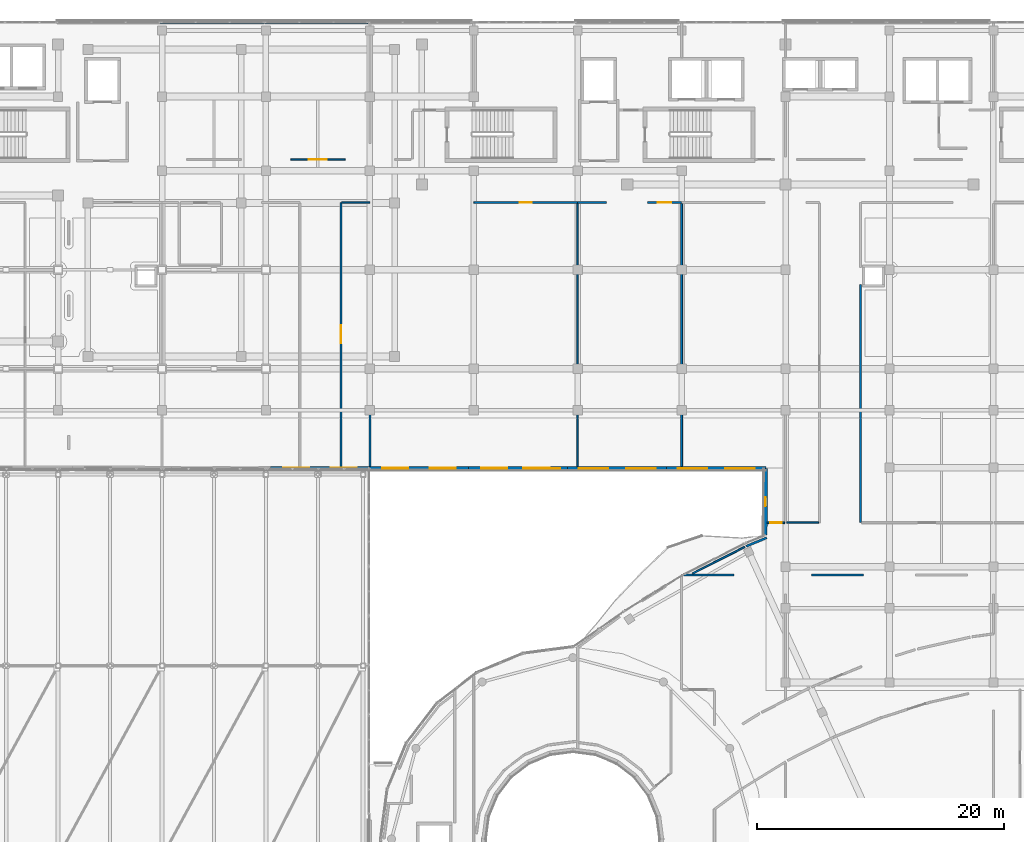
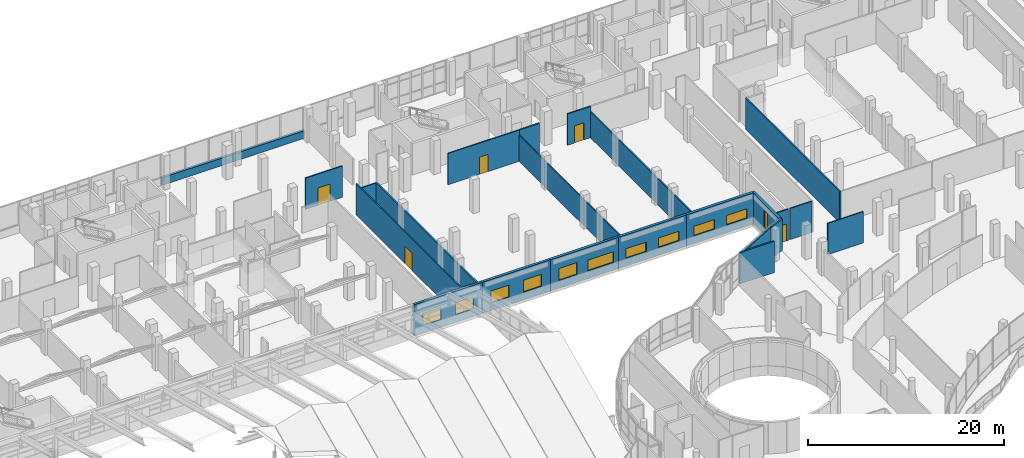
# One storey, part 167 of 184: 24 walls, 11 windows, 5 doors, 16 openings.
"""IFC4 building model written with IfcOpenShell, lengths in metres."""

from ifc_helpers import new_model, si_unit, direction, frame, frame_2d, origin, place, context, subcontext, project, spatial, rectangle, extrude, material, layer, layer_set, type_object, element, fill, save


model = new_model("IFC4")

# Units and contexts
model_context = context("Model", 3, precision=1e-05, world=origin(), true_north=direction((0.0, 1.0)))
body_context = subcontext(model_context, "Body", "Model", "MODEL_VIEW")
ifc_project = project(units=[si_unit("LENGTHUNIT", "METRE"), si_unit("AREAUNIT", "SQUARE_METRE"), si_unit("VOLUMEUNIT", "CUBIC_METRE"), si_unit("PLANEANGLEUNIT", "RADIAN"), si_unit("MASSUNIT", "GRAM", prefix="KILO")], contexts=[model_context])

# Site, building, storey
site_placement = place(None, origin())
site = spatial("IfcSite", under=ifc_project, at=site_placement, CompositionType="ELEMENT")
building_placement = place(site_placement, origin())
building = spatial("IfcBuilding", under=site, at=building_placement, Name="Selatvlak General Hospital", CompositionType="ELEMENT")
storey_placement = place(building_placement, frame((0.0, 0.0, 15.0)))
storey = spatial("IfcBuildingStorey", under=building, at=storey_placement, Name="L03", CompositionType="ELEMENT", Elevation=15.0)

# Wall, opening, window
ifc_material_1 = material(Name="Precast concrete C40/50 - white fair-faced", Category="concrete")
ifc_layer_1 = layer(ifc_material_1, 0.300048828125, Name="Precast concrete C40/50 - white fair-faced", Category="concrete")
ifc_layer_set_1 = layer_set([ifc_layer_1], Name="Precast concrete C40/50 - white fair-faced")
wall_type_1 = type_object("IfcWallType", Name="WALL-EW-01", PredefinedType="SOLIDWALL", material=ifc_layer_set_1)
wall_1_placement = place(storey_placement, frame((113.56298828125, 78.552001953125, 0.0), z_axis=(0.0, 0.0, 1.0), x_axis=(0.006887325881, 0.99997628209, 0.0)))
wall_1 = element("IfcWall", 1, at=wall_1_placement, inside=storey, type_object=wall_type_1, Name="L03 exterior wall 0388", PredefinedType="SOLIDWALL", context=body_context, shape_type="SweptSolid", body=[
    extrude(rectangle(XDim=5.38818359375, YDim=0.300048828125, at=frame_2d((2.694091796875, 0.0))), origin(), (0.0, 0.0, 1.0), 3.89501953125),
])
opening_1_placement = place(wall_1_placement, frame((2.319091796875, 0.0, 0.9599609375)))
opening_1 = element("IfcOpeningElement", 2, at=opening_1_placement, cuts=wall_1, Name="Opening WN-25", PredefinedType="OPENING", context=body_context, shape_type="SweptSolid", body=[
    extrude(rectangle(XDim=0.75, YDim=2.10009765625, at=frame_2d((0.375, 1.050048828125))), frame((0.0, 0.159912109375, 0.0), z_axis=(0.0, -1.0, 0.0), x_axis=(1.0, 0.0, 0.0)), (0.0, 0.0, 1.0), 0.320068359375),
])
ifc_material_2 = material(Name="Thermally broken aluminium Low-E window", Category="aluminium")
window_type_1 = type_object("IfcWindowType", Name="WIN-WN-25", PartitioningType="SINGLE_PANEL", PredefinedType="WINDOW", material=ifc_material_2)
window_1_placement = place(opening_1_placement, origin())
window_1 = element("IfcWindow", 3, at=window_1_placement, inside=storey, type_object=window_type_1, Name="L03 clinical facade window 0054", OverallHeight=2.10009765625, OverallWidth=0.75, PartitioningType="SINGLE_PANEL", PredefinedType="WINDOW", context=body_context, shape_type="SweptSolid", body=[
    extrude(rectangle(XDim=0.75, YDim=2.10009765625, at=frame_2d((0.375, 1.050048828125))), frame((0.0, 0.030029296875, 0.0), z_axis=(0.0, -1.0, 0.0), x_axis=(1.0, 0.0, 0.0)), (0.0, 0.0, 1.0), 0.06005859375),
])
fill(opening_1, window_1)

# Wall, openings, windows
wall_2_placement = place(storey_placement, frame((113.60009765625, 83.93994140625, 0.0), z_axis=(0.0, 0.0, 1.0), x_axis=(-0.999999795056, 0.000640224252, 0.0)))
wall_2 = element("IfcWall", 4, at=wall_2_placement, inside=storey, type_object=wall_type_1, Name="L03 exterior wall 0389", PredefinedType="SOLIDWALL", context=body_context, shape_type="SweptSolid", body=[
    extrude(rectangle(XDim=8.008056640625, YDim=0.300048828125, at=frame_2d((4.00390625, 0.0))), origin(), (0.0, 0.0, 1.0), 3.89501953125),
])
opening_2_placement = place(wall_2_placement, frame((0.882080078125, 0.0, 0.9599609375)))
opening_2 = element("IfcOpeningElement", 5, at=opening_2_placement, cuts=wall_2, Name="Opening WN-29", PredefinedType="OPENING", context=body_context, shape_type="SweptSolid", body=[
    extrude(rectangle(XDim=2.39990234375, YDim=1.199951171875, at=frame_2d((1.199951171875, 0.60009765625))), frame((0.0, 0.159912109375, 0.0), z_axis=(0.0, -1.0, 0.0), x_axis=(1.0, 0.0, 0.0)), (0.0, 0.0, 1.0), 0.320068359375),
])
opening_3_placement = place(wall_2_placement, frame((4.72607421875, 0.0, 0.9599609375)))
opening_3 = element("IfcOpeningElement", 6, at=opening_3_placement, cuts=wall_2, Name="Opening WN-29", PredefinedType="OPENING", context=body_context, shape_type="SweptSolid", body=[
    extrude(rectangle(XDim=2.39990234375, YDim=1.199951171875, at=frame_2d((1.199951171875, 0.60009765625))), frame((0.0, 0.159912109375, 0.0), z_axis=(0.0, -1.0, 0.0), x_axis=(1.0, 0.0, 0.0)), (0.0, 0.0, 1.0), 0.320068359375),
])
window_type_2 = type_object("IfcWindowType", Name="WIN-WN-29", PartitioningType="SINGLE_PANEL", PredefinedType="WINDOW", material=ifc_material_2)
window_2_placement = place(opening_2_placement, origin())
window_2 = element("IfcWindow", 7, at=window_2_placement, inside=storey, type_object=window_type_2, Name="L03 Bauhaus ribbon window 0055", OverallHeight=1.199951171875, OverallWidth=2.39990234375, PartitioningType="SINGLE_PANEL", PredefinedType="WINDOW", context=body_context, shape_type="SweptSolid", body=[
    extrude(rectangle(XDim=2.39990234375, YDim=1.199951171875, at=frame_2d((1.199951171875, 0.60009765625))), frame((0.0, 0.030029296875, 0.0), z_axis=(0.0, -1.0, 0.0), x_axis=(1.0, 0.0, 0.0)), (0.0, 0.0, 1.0), 0.06005859375),
])
fill(opening_2, window_2)
window_3_placement = place(opening_3_placement, origin())
window_3 = element("IfcWindow", 8, at=window_3_placement, inside=storey, type_object=window_type_2, Name="L03 Bauhaus ribbon window 0056", OverallHeight=1.199951171875, OverallWidth=2.39990234375, PartitioningType="SINGLE_PANEL", PredefinedType="WINDOW", context=body_context, shape_type="SweptSolid", body=[
    extrude(rectangle(XDim=2.39990234375, YDim=1.199951171875, at=frame_2d((1.199951171875, 0.60009765625))), frame((0.0, 0.030029296875, 0.0), z_axis=(0.0, -1.0, 0.0), x_axis=(1.0, 0.0, 0.0)), (0.0, 0.0, 1.0), 0.06005859375),
])
fill(opening_3, window_3)

wall_3_placement = place(storey_placement, frame((105.592041015625, 83.945068359375, 0.0), z_axis=(0.0, 0.0, 1.0), x_axis=(-0.999999732319, 0.000731684814, 0.0)))
wall_3 = element("IfcWall", 9, at=wall_3_placement, inside=storey, type_object=wall_type_1, Name="L03 exterior wall 0390", PredefinedType="SOLIDWALL", context=body_context, shape_type="SweptSolid", body=[
    extrude(rectangle(XDim=8.008056640625, YDim=0.300048828125, at=frame_2d((4.00390625, 0.0))), origin(), (0.0, 0.0, 1.0), 3.89501953125),
])
opening_4_placement = place(wall_3_placement, frame((0.882080078125, 0.0, 0.9599609375)))
opening_4 = element("IfcOpeningElement", 10, at=opening_4_placement, cuts=wall_3, Name="Opening WN-29", PredefinedType="OPENING", context=body_context, shape_type="SweptSolid", body=[
    extrude(rectangle(XDim=2.39990234375, YDim=1.199951171875, at=frame_2d((1.199951171875, 0.60009765625))), frame((0.0, 0.159912109375, 0.0), z_axis=(0.0, -1.0, 0.0), x_axis=(1.0, 0.0, 0.0)), (0.0, 0.0, 1.0), 0.320068359375),
])
opening_5_placement = place(wall_3_placement, frame((4.72607421875, 0.0, 0.9599609375)))
opening_5 = element("IfcOpeningElement", 11, at=opening_5_placement, cuts=wall_3, Name="Opening WN-29", PredefinedType="OPENING", context=body_context, shape_type="SweptSolid", body=[
    extrude(rectangle(XDim=2.39990234375, YDim=1.199951171875, at=frame_2d((1.199951171875, 0.60009765625))), frame((0.0, 0.159912109375, 0.0), z_axis=(0.0, -1.0, 0.0), x_axis=(1.0, 0.0, 0.0)), (0.0, 0.0, 1.0), 0.320068359375),
])
window_4_placement = place(opening_4_placement, origin())
window_4 = element("IfcWindow", 12, at=window_4_placement, inside=storey, type_object=window_type_2, Name="L03 Bauhaus ribbon window 0057", OverallHeight=1.199951171875, OverallWidth=2.39990234375, PartitioningType="SINGLE_PANEL", PredefinedType="WINDOW", context=body_context, shape_type="SweptSolid", body=[
    extrude(rectangle(XDim=2.39990234375, YDim=1.199951171875, at=frame_2d((1.199951171875, 0.60009765625))), frame((0.0, 0.030029296875, 0.0), z_axis=(0.0, -1.0, 0.0), x_axis=(1.0, 0.0, 0.0)), (0.0, 0.0, 1.0), 0.06005859375),
])
fill(opening_4, window_4)
window_5_placement = place(opening_5_placement, origin())
window_5 = element("IfcWindow", 13, at=window_5_placement, inside=storey, type_object=window_type_2, Name="L03 Bauhaus ribbon window 0058", OverallHeight=1.199951171875, OverallWidth=2.39990234375, PartitioningType="SINGLE_PANEL", PredefinedType="WINDOW", context=body_context, shape_type="SweptSolid", body=[
    extrude(rectangle(XDim=2.39990234375, YDim=1.199951171875, at=frame_2d((1.199951171875, 0.60009765625))), frame((0.0, 0.030029296875, 0.0), z_axis=(0.0, -1.0, 0.0), x_axis=(1.0, 0.0, 0.0)), (0.0, 0.0, 1.0), 0.06005859375),
])
fill(opening_5, window_5)

wall_4_placement = place(storey_placement, frame((97.583984375, 83.950927734375, 0.0), z_axis=(0.0, 0.0, 1.0), x_axis=(-0.999999795056, 0.000640224252, 0.0)))
wall_4 = element("IfcWall", 14, at=wall_4_placement, inside=storey, type_object=wall_type_1, Name="L03 exterior wall 0391", PredefinedType="SOLIDWALL", context=body_context, shape_type="SweptSolid", body=[
    extrude(rectangle(XDim=8.008056640625, YDim=0.300048828125, at=frame_2d((4.00390625, 0.0))), origin(), (0.0, 0.0, 1.0), 3.89501953125),
])
opening_6_placement = place(wall_4_placement, frame((0.58203125, 0.0, 0.9599609375)))
opening_6 = element("IfcOpeningElement", 15, at=opening_6_placement, cuts=wall_4, Name="Opening WN-30", PredefinedType="OPENING", context=body_context, shape_type="SweptSolid", body=[
    extrude(rectangle(XDim=3.0, YDim=1.35009765625, at=frame_2d((1.5, 0.675048828125))), frame((0.0, 0.159912109375, 0.0), z_axis=(0.0, -1.0, 0.0), x_axis=(1.0, 0.0, 0.0)), (0.0, 0.0, 1.0), 0.320068359375),
])
opening_7_placement = place(wall_4_placement, frame((4.8759765625, 0.0, 0.9599609375)))
opening_7 = element("IfcOpeningElement", 16, at=opening_7_placement, cuts=wall_4, Name="Opening WN-06", PredefinedType="OPENING", context=body_context, shape_type="SweptSolid", body=[
    extrude(rectangle(XDim=2.10009765625, YDim=1.5, at=frame_2d((1.050048828125, 0.75))), frame((0.0, 0.159912109375, 0.0), z_axis=(0.0, -1.0, 0.0), x_axis=(1.0, 0.0, 0.0)), (0.0, 0.0, 1.0), 0.320068359375),
])
window_type_3 = type_object("IfcWindowType", Name="WIN-WN-06", PartitioningType="SINGLE_PANEL", PredefinedType="WINDOW", material=ifc_material_2)
window_6_placement = place(opening_7_placement, origin())
window_6 = element("IfcWindow", 17, at=window_6_placement, inside=storey, type_object=window_type_3, Name="L03 Bauhaus ribbon window 0060", OverallHeight=1.5, OverallWidth=2.10009765625, PartitioningType="SINGLE_PANEL", PredefinedType="WINDOW", context=body_context, shape_type="SweptSolid", body=[
    extrude(rectangle(XDim=2.10009765625, YDim=1.5, at=frame_2d((1.050048828125, 0.75))), frame((0.0, 0.030029296875, 0.0), z_axis=(0.0, -1.0, 0.0), x_axis=(1.0, 0.0, 0.0)), (0.0, 0.0, 1.0), 0.06005859375),
])
fill(opening_7, window_6)
window_type_4 = type_object("IfcWindowType", Name="WIN-WN-30", PartitioningType="SINGLE_PANEL", PredefinedType="WINDOW", material=ifc_material_2)
window_7_placement = place(opening_6_placement, origin())
window_7 = element("IfcWindow", 18, at=window_7_placement, inside=storey, type_object=window_type_4, Name="L03 Bauhaus ribbon window 0059", OverallHeight=1.35009765625, OverallWidth=3.0, PartitioningType="SINGLE_PANEL", PredefinedType="WINDOW", context=body_context, shape_type="SweptSolid", body=[
    extrude(rectangle(XDim=3.0, YDim=1.35009765625, at=frame_2d((1.5, 0.675048828125))), frame((0.0, 0.030029296875, 0.0), z_axis=(0.0, -1.0, 0.0), x_axis=(1.0, 0.0, 0.0)), (0.0, 0.0, 1.0), 0.06005859375),
])
fill(opening_6, window_7)

wall_5_placement = place(storey_placement, frame((89.575927734375, 83.9560546875, 0.0), z_axis=(0.0, 0.0, 1.0), x_axis=(-0.999999814099, 0.000609755984, 0.0)))
wall_5 = element("IfcWall", 19, at=wall_5_placement, inside=storey, type_object=wall_type_1, Name="L03 exterior wall 0392", PredefinedType="SOLIDWALL", context=body_context, shape_type="SweptSolid", body=[
    extrude(rectangle(XDim=8.0078125, YDim=0.300048828125, at=frame_2d((4.00390625, 0.0))), origin(), (0.0, 0.0, 1.0), 3.89501953125),
])
opening_8_placement = place(wall_5_placement, frame((1.031982421875, 0.0, 0.9599609375)))
opening_8 = element("IfcOpeningElement", 20, at=opening_8_placement, cuts=wall_5, Name="Opening WN-06", PredefinedType="OPENING", context=body_context, shape_type="SweptSolid", body=[
    extrude(rectangle(XDim=2.10009765625, YDim=1.5, at=frame_2d((1.050048828125, 0.75))), frame((0.0, 0.159912109375, 0.0), z_axis=(0.0, -1.0, 0.0), x_axis=(1.0, 0.0, 0.0)), (0.0, 0.0, 1.0), 0.320068359375),
])
opening_9_placement = place(wall_5_placement, frame((4.8759765625, 0.0, 0.9599609375)))
opening_9 = element("IfcOpeningElement", 21, at=opening_9_placement, cuts=wall_5, Name="Opening WN-06", PredefinedType="OPENING", context=body_context, shape_type="SweptSolid", body=[
    extrude(rectangle(XDim=2.10009765625, YDim=1.5, at=frame_2d((1.050048828125, 0.75))), frame((0.0, 0.159912109375, 0.0), z_axis=(0.0, -1.0, 0.0), x_axis=(1.0, 0.0, 0.0)), (0.0, 0.0, 1.0), 0.320068359375),
])
window_8_placement = place(opening_8_placement, origin())
window_8 = element("IfcWindow", 22, at=window_8_placement, inside=storey, type_object=window_type_3, Name="L03 Bauhaus ribbon window 0061", OverallHeight=1.5, OverallWidth=2.10009765625, PartitioningType="SINGLE_PANEL", PredefinedType="WINDOW", context=body_context, shape_type="SweptSolid", body=[
    extrude(rectangle(XDim=2.10009765625, YDim=1.5, at=frame_2d((1.050048828125, 0.75))), frame((0.0, 0.030029296875, 0.0), z_axis=(0.0, -1.0, 0.0), x_axis=(1.0, 0.0, 0.0)), (0.0, 0.0, 1.0), 0.06005859375),
])
fill(opening_8, window_8)
window_9_placement = place(opening_9_placement, origin())
window_9 = element("IfcWindow", 23, at=window_9_placement, inside=storey, type_object=window_type_3, Name="L03 Bauhaus ribbon window 0062", OverallHeight=1.5, OverallWidth=2.10009765625, PartitioningType="SINGLE_PANEL", PredefinedType="WINDOW", context=body_context, shape_type="SweptSolid", body=[
    extrude(rectangle(XDim=2.10009765625, YDim=1.5, at=frame_2d((1.050048828125, 0.75))), frame((0.0, 0.030029296875, 0.0), z_axis=(0.0, -1.0, 0.0), x_axis=(1.0, 0.0, 0.0)), (0.0, 0.0, 1.0), 0.06005859375),
])
fill(opening_9, window_9)

wall_6_placement = place(storey_placement, frame((81.568115234375, 83.9609375, 0.0), z_axis=(0.0, 0.0, 1.0), x_axis=(-0.999999795056, 0.000640224252, 0.0)))
wall_6 = element("IfcWall", 24, at=wall_6_placement, inside=storey, type_object=wall_type_1, Name="L03 exterior wall 0393", PredefinedType="SOLIDWALL", context=body_context, shape_type="SweptSolid", body=[
    extrude(rectangle(XDim=8.008056640625, YDim=0.300048828125, at=frame_2d((4.00390625, 0.0))), origin(), (0.0, 0.0, 1.0), 3.89501953125),
])
opening_10_placement = place(wall_6_placement, frame((1.031982421875, 0.0, 0.9599609375)))
opening_10 = element("IfcOpeningElement", 25, at=opening_10_placement, cuts=wall_6, Name="Opening WN-06", PredefinedType="OPENING", context=body_context, shape_type="SweptSolid", body=[
    extrude(rectangle(XDim=2.10009765625, YDim=1.5, at=frame_2d((1.050048828125, 0.75))), frame((0.0, 0.159912109375, 0.0), z_axis=(0.0, -1.0, 0.0), x_axis=(1.0, 0.0, 0.0)), (0.0, 0.0, 1.0), 0.320068359375),
])
opening_11_placement = place(wall_6_placement, frame((4.8759765625, 0.0, 0.9599609375)))
opening_11 = element("IfcOpeningElement", 26, at=opening_11_placement, cuts=wall_6, Name="Opening WN-06", PredefinedType="OPENING", context=body_context, shape_type="SweptSolid", body=[
    extrude(rectangle(XDim=2.10009765625, YDim=1.5, at=frame_2d((1.050048828125, 0.75))), frame((0.0, 0.159912109375, 0.0), z_axis=(0.0, -1.0, 0.0), x_axis=(1.0, 0.0, 0.0)), (0.0, 0.0, 1.0), 0.320068359375),
])
window_10_placement = place(opening_10_placement, origin())
window_10 = element("IfcWindow", 27, at=window_10_placement, inside=storey, type_object=window_type_3, Name="L03 Bauhaus ribbon window 0063", OverallHeight=1.5, OverallWidth=2.10009765625, PartitioningType="SINGLE_PANEL", PredefinedType="WINDOW", context=body_context, shape_type="SweptSolid", body=[
    extrude(rectangle(XDim=2.10009765625, YDim=1.5, at=frame_2d((1.050048828125, 0.75))), frame((0.0, 0.030029296875, 0.0), z_axis=(0.0, -1.0, 0.0), x_axis=(1.0, 0.0, 0.0)), (0.0, 0.0, 1.0), 0.06005859375),
])
fill(opening_10, window_10)
window_11_placement = place(opening_11_placement, origin())
window_11 = element("IfcWindow", 28, at=window_11_placement, inside=storey, type_object=window_type_3, Name="L03 Bauhaus ribbon window 0064", OverallHeight=1.5, OverallWidth=2.10009765625, PartitioningType="SINGLE_PANEL", PredefinedType="WINDOW", context=body_context, shape_type="SweptSolid", body=[
    extrude(rectangle(XDim=2.10009765625, YDim=1.5, at=frame_2d((1.050048828125, 0.75))), frame((0.0, 0.030029296875, 0.0), z_axis=(0.0, -1.0, 0.0), x_axis=(1.0, 0.0, 0.0)), (0.0, 0.0, 1.0), 0.06005859375),
])
fill(opening_11, window_11)

# Walls
ifc_material_3 = material(Name="Precast concrete C40/50 - white Bauhaus spandrel", Category="concrete")
ifc_layer_2 = layer(ifc_material_3, 0.280029296875, Name="Precast concrete C40/50 - white Bauhaus spandrel", Category="concrete")
ifc_layer_set_2 = layer_set([ifc_layer_2], Name="Precast concrete C40/50 - white Bauhaus spandrel")
wall_type_2 = type_object("IfcWallType", Name="WALL-EW-02", PredefinedType="SOLIDWALL", material=ifc_layer_set_2)
wall_7_placement = place(storey_placement, frame((64.681884765625, 119.9990234375, 0.0), z_axis=(0.0, 0.0, 1.0), x_axis=(1.0, 0.0, 0.0)))
element("IfcWall", 29, at=wall_7_placement, inside=storey, type_object=wall_type_2, Name="L03 Bauhaus spandrel sill wall 0367", PredefinedType="SOLIDWALL", context=body_context, shape_type="SweptSolid", body=[
    extrude(rectangle(XDim=8.376220703125, YDim=0.280029296875, at=frame_2d((4.18798828125, 0.0))), origin(), (0.0, 0.0, 1.0), 0.93994140625),
])
wall_8_placement = place(storey_placement, frame((73.06201171875, 119.9990234375, 0.0), z_axis=(0.0, 0.0, 1.0), x_axis=(1.0, 0.0, 0.0)))
element("IfcWall", 30, at=wall_8_placement, inside=storey, type_object=wall_type_2, Name="L03 Bauhaus spandrel sill wall 0368", PredefinedType="SOLIDWALL", context=body_context, shape_type="SweptSolid", body=[
    extrude(rectangle(XDim=8.3759765625, YDim=0.280029296875, at=frame_2d((4.18798828125, 0.0))), origin(), (0.0, 0.0, 1.0), 0.93994140625),
])
ifc_material_4 = material(Name="Acoustic gypsum stud partition")
ifc_layer_3 = layer(ifc_material_4, 0.179931640625, Name="Acoustic gypsum stud partition")
ifc_layer_set_3 = layer_set([ifc_layer_3], Name="Acoustic gypsum stud partition")
wall_type_3 = type_object("IfcWallType", Name="WALL-PT-01", PredefinedType="PARTITIONING", material=ifc_layer_set_3)
wall_9_placement = place(storey_placement, frame((106.951904296875, 75.340087890625, 0.0), z_axis=(0.0, 0.0, 1.0), x_axis=(1.0, 0.0, 0.0)))
element("IfcWall", 31, at=wall_9_placement, inside=storey, type_object=wall_type_3, Name="L03 clinical partition PT-L03-1485", PredefinedType="PARTITIONING", context=body_context, shape_type="SweptSolid", body=[
    extrude(rectangle(XDim=4.071044921875, YDim=0.179931640625, at=frame_2d((2.03564453125, 0.0))), origin(), (0.0, 0.0, 1.0), 3.89501953125),
])
wall_10_placement = place(storey_placement, frame((81.60009765625, 105.384033203125, 0.0), z_axis=(0.0, 0.0, 1.0), x_axis=(0.0, -1.0, 0.0)))
element("IfcWall", 32, at=wall_10_placement, inside=storey, type_object=wall_type_3, Name="L03 clinical partition PT-L03-1570", PredefinedType="PARTITIONING", context=body_context, shape_type="SweptSolid", body=[
    extrude(rectangle(XDim=21.276123046875, YDim=0.179931640625, at=frame_2d((10.63818359375, 0.0))), origin(), (0.0, 0.0, 1.0), 3.2451171875),
])
wall_11_placement = place(storey_placement, frame((98.39990234375, 105.43994140625, 0.0), z_axis=(0.0, 0.0, 1.0), x_axis=(1.0, 0.0, 0.0)))
element("IfcWall", 33, at=wall_11_placement, inside=storey, type_object=wall_type_3, Name="L03 clinical partition PT-L03-1575", PredefinedType="PARTITIONING", context=body_context, shape_type="SweptSolid", body=[
    extrude(rectangle(XDim=2.343994140625, YDim=0.179931640625, at=frame_2d((1.171875, 0.0))), origin(), (0.0, 0.0, 1.0), 3.89501953125),
])
wall_12_placement = place(storey_placement, frame((113.675048828125, 78.339111328125, 0.0), z_axis=(0.0, 0.0, 1.0), x_axis=(-0.925581582464, -0.37854819271, 0.0)))
element("IfcWall", 34, at=wall_12_placement, inside=storey, type_object=wall_type_3, Name="L03 clinical partition PT-L03-1581", PredefinedType="PARTITIONING", context=body_context, shape_type="SweptSolid", body=[
    extrude(rectangle(XDim=1.796875, YDim=0.179931640625, at=frame_2d((0.8984375, 0.0))), origin(), (0.0, 0.0, 1.0), 3.89501953125),
])

# Wall, opening, door
ifc_layer_4 = layer(ifc_material_4, 0.1650390625, Name="Acoustic gypsum stud partition")
ifc_layer_set_4 = layer_set([ifc_layer_4], Name="Acoustic gypsum stud partition")
wall_type_4 = type_object("IfcWallType", Name="WALL-PT-02", PredefinedType="PARTITIONING", material=ifc_layer_set_4)
wall_13_placement = place(storey_placement, frame((104.055908203125, 105.43994140625, 0.0), z_axis=(0.0, 0.0, 1.0), x_axis=(1.0, 0.0, 0.0)))
wall_13 = element("IfcWall", 35, at=wall_13_placement, inside=storey, type_object=wall_type_4, Name="L03 clinical partition PT-L03-1576", PredefinedType="PARTITIONING", context=body_context, shape_type="SweptSolid", body=[
    extrude(rectangle(XDim=2.744140625, YDim=0.1650390625, at=frame_2d((1.3720703125, 0.0))), origin(), (0.0, 0.0, 1.0), 3.89501953125),
])
opening_12_placement = place(wall_13_placement, frame((0.822021484375, 0.0, 0.0)))
opening_12 = element("IfcOpeningElement", 36, at=opening_12_placement, cuts=wall_13, Name="Opening D-22", PredefinedType="OPENING", context=body_context, shape_type="SweptSolid", body=[
    extrude(rectangle(XDim=1.10009765625, YDim=2.14990234375, at=frame_2d((0.550048828125, 1.074951171875))), frame((0.0, 0.092529296875, 0.0), z_axis=(0.0, -1.0, 0.0), x_axis=(1.0, 0.0, 0.0)), (0.0, 0.0, 1.0), 0.18505859375),
])
ifc_material_5 = material(Name="Pharmacy security fire door")
door_type_1 = type_object("IfcDoorType", Name="DOOR-D-22", OperationType="NOTDEFINED", PredefinedType="DOOR", material=ifc_material_5)
door_1_placement = place(opening_12_placement, origin())
door_1 = element("IfcDoor", 37, at=door_1_placement, inside=storey, type_object=door_type_1, Name="L03 Biomedical Engineering Workshop 39 door", OperationType="SINGLE_SWING_LEFT", OverallHeight=2.14990234375, OverallWidth=1.10009765625, PredefinedType="DOOR", context=body_context, shape_type="SweptSolid", body=[
    extrude(rectangle(XDim=1.10009765625, YDim=2.14990234375, at=frame_2d((0.550048828125, 1.074951171875))), frame((0.0, 0.02490234375, 0.0), z_axis=(0.0, -1.0, 0.0), x_axis=(1.0, 0.0, 0.0)), (0.0, 0.0, 1.0), 0.050048828125),
])
fill(opening_12, door_1)

# Walls
wall_14_placement = place(storey_placement, frame((121.260009765625, 79.56005859375, 0.0), z_axis=(0.0, 0.0, 1.0), x_axis=(0.0, 1.0, 0.0)))
element("IfcWall", 38, at=wall_14_placement, inside=storey, type_object=wall_type_4, Name="L03 clinical partition PT-L03-1585", PredefinedType="PARTITIONING", context=body_context, shape_type="SweptSolid", body=[
    extrude(rectangle(XDim=19.239990234375, YDim=0.1650390625, at=frame_2d((9.6201171875, 0.0))), origin(), (0.0, 0.0, 1.0), 3.89501953125),
])
ifc_layer_5 = layer(ifc_material_4, 0.14990234375, Name="Acoustic gypsum stud partition")
ifc_layer_set_5 = layer_set([ifc_layer_5], Name="Acoustic gypsum stud partition")
wall_type_5 = type_object("IfcWallType", Name="WALL-PT-03", PredefinedType="PARTITIONING", material=ifc_layer_set_5)
wall_15_placement = place(storey_placement, frame((106.800048828125, 105.361083984375, 0.0), z_axis=(0.0, 0.0, 1.0), x_axis=(0.0, -1.0, 0.0)))
element("IfcWall", 39, at=wall_15_placement, inside=storey, type_object=wall_type_5, Name="L03 clinical partition PT-L03-1577", PredefinedType="PARTITIONING", context=body_context, shape_type="SweptSolid", body=[
    extrude(rectangle(XDim=21.27001953125, YDim=0.14990234375, at=frame_2d((10.635009765625, 0.0))), origin(), (0.0, 0.0, 1.0), 3.2451171875),
])
ifc_material_6 = material(Name="Moisture-resistant clinical partition")
ifc_layer_6 = layer(ifc_material_6, 0.135009765625, Name="Moisture-resistant clinical partition")
ifc_layer_set_6 = layer_set([ifc_layer_6], Name="Moisture-resistant clinical partition")
wall_type_6 = type_object("IfcWallType", Name="WALL-PT-04", PredefinedType="PARTITIONING", material=ifc_layer_set_6)
wall_16_placement = place(storey_placement, frame((111.89501953125, 77.60009765625, 0.0), z_axis=(0.0, 0.0, 1.0), x_axis=(-0.891217321541, -0.453576548982, 0.0)))
element("IfcWall", 40, at=wall_16_placement, inside=storey, type_object=wall_type_6, Name="L03 clinical partition PT-L03-1484", PredefinedType="PARTITIONING", context=body_context, shape_type="SweptSolid", body=[
    extrude(rectangle(XDim=4.73388671875, YDim=0.135009765625, at=frame_2d((2.366943359375, 0.0))), origin(), (0.0, 0.0, 1.0), 3.89501953125),
])
wall_17_placement = place(storey_placement, frame((117.30810546875, 75.340087890625, 0.0), z_axis=(0.0, 0.0, 1.0), x_axis=(1.0, 0.0, 0.0)))
element("IfcWall", 41, at=wall_17_placement, inside=storey, type_object=wall_type_6, Name="L03 clinical partition PT-L03-1496", PredefinedType="PARTITIONING", context=body_context, shape_type="SweptSolid", body=[
    extrude(rectangle(XDim=4.183837890625, YDim=0.135009765625, at=frame_2d((2.091796875, 0.0))), origin(), (0.0, 0.0, 1.0), 3.89501953125),
])

# Wall, opening, door
wall_18_placement = place(storey_placement, frame((79.260009765625, 84.10888671875, 0.0), z_axis=(0.0, 0.0, 1.0), x_axis=(0.0, 1.0, 0.0)))
wall_18 = element("IfcWall", 42, at=wall_18_placement, inside=storey, type_object=wall_type_6, Name="L03 clinical partition PT-L03-1568", PredefinedType="PARTITIONING", context=body_context, shape_type="SweptSolid", body=[
    extrude(rectangle(XDim=21.3310546875, YDim=0.135009765625, at=frame_2d((10.66552734375, 0.0))), origin(), (0.0, 0.0, 1.0), 3.89501953125),
])
opening_13_placement = place(wall_18_placement, frame((9.94091796875, 0.0, 0.0)))
opening_13 = element("IfcOpeningElement", 43, at=opening_13_placement, cuts=wall_18, Name="Opening D-12", PredefinedType="OPENING", context=body_context, shape_type="SweptSolid", body=[
    extrude(rectangle(XDim=1.449951171875, YDim=2.14990234375, at=frame_2d((0.72509765625, 1.074951171875))), frame((0.0, 0.077392578125, 0.0), z_axis=(0.0, -1.0, 0.0), x_axis=(1.0, 0.0, 0.0)), (0.0, 0.0, 1.0), 0.155029296875),
])
ifc_material_7 = material(Name="Isolation anteroom door")
door_type_2 = type_object("IfcDoorType", Name="DOOR-D-12", OperationType="NOTDEFINED", PredefinedType="DOOR", material=ifc_material_7)
door_2_placement = place(opening_13_placement, origin())
door_2 = element("IfcDoor", 44, at=door_2_placement, inside=storey, type_object=door_type_2, Name="L03 Outpatient Specialist Waiting Concourse 36 door", OperationType="SINGLE_SWING_LEFT", OverallHeight=2.14990234375, OverallWidth=1.449951171875, PredefinedType="DOOR", context=body_context, shape_type="SweptSolid", body=[
    extrude(rectangle(XDim=1.449951171875, YDim=2.14990234375, at=frame_2d((0.72509765625, 1.074951171875))), frame((0.0, 0.02490234375, 0.0), z_axis=(0.0, -1.0, 0.0), x_axis=(1.0, 0.0, 0.0)), (0.0, 0.0, 1.0), 0.050048828125),
])
fill(opening_13, door_2)

wall_19_placement = place(storey_placement, frame((90.0, 105.43994140625, 0.0), z_axis=(0.0, 0.0, 1.0), x_axis=(1.0, 0.0, 0.0)))
wall_19 = element("IfcWall", 45, at=wall_19_placement, inside=storey, type_object=wall_type_6, Name="L03 clinical partition PT-L03-1573", PredefinedType="PARTITIONING", context=body_context, shape_type="SweptSolid", body=[
    extrude(rectangle(XDim=8.39990234375, YDim=0.135009765625, at=frame_2d((4.199951171875, 0.0))), origin(), (0.0, 0.0, 1.0), 3.89501953125),
])
opening_14_placement = place(wall_19_placement, frame((3.699951171875, 0.0, 0.0)))
opening_14 = element("IfcOpeningElement", 46, at=opening_14_placement, cuts=wall_19, Name="Opening D-21", PredefinedType="OPENING", context=body_context, shape_type="SweptSolid", body=[
    extrude(rectangle(XDim=1.0, YDim=2.14990234375, at=frame_2d((0.5, 1.074951171875))), frame((0.0, 0.077392578125, 0.0), z_axis=(0.0, -1.0, 0.0), x_axis=(1.0, 0.0, 0.0)), (0.0, 0.0, 1.0), 0.155029296875),
])
ifc_material_8 = material(Name="Laboratory fire door")
door_type_3 = type_object("IfcDoorType", Name="DOOR-D-21", OperationType="NOTDEFINED", PredefinedType="DOOR", material=ifc_material_8)
door_3_placement = place(opening_14_placement, origin())
door_3 = element("IfcDoor", 47, at=door_3_placement, inside=storey, type_object=door_type_3, Name="L03 Hospital Transfusion Blood Bank 38 door", OperationType="SINGLE_SWING_RIGHT", OverallHeight=2.14990234375, OverallWidth=1.0, PredefinedType="DOOR", context=body_context, shape_type="SweptSolid", body=[
    extrude(rectangle(XDim=1.0, YDim=2.14990234375, at=frame_2d((0.5, 1.074951171875))), frame((0.0, 0.02490234375, 0.0), z_axis=(0.0, -1.0, 0.0), x_axis=(1.0, 0.0, 0.0)), (0.0, 0.0, 1.0), 0.050048828125),
])
fill(opening_14, door_3)

wall_20_placement = place(storey_placement, frame((115.12109375, 79.56005859375, 0.0), z_axis=(0.0, 0.0, 1.0), x_axis=(-1.0, 0.0, 0.0)))
wall_20 = element("IfcWall", 48, at=wall_20_placement, inside=storey, type_object=wall_type_6, Name="L03 clinical partition PT-L03-1580", PredefinedType="PARTITIONING", context=body_context, shape_type="SweptSolid", body=[
    extrude(rectangle(XDim=1.404052734375, YDim=0.135009765625, at=frame_2d((0.7021484375, 0.0))), origin(), (0.0, 0.0, 1.0), 3.89501953125),
])
opening_15_placement = place(wall_20_placement, frame((0.22705078125, 0.0, 0.0)))
opening_15 = element("IfcOpeningElement", 49, at=opening_15_placement, cuts=wall_20, Name="Opening D-02", PredefinedType="OPENING", context=body_context, shape_type="SweptSolid", body=[
    extrude(rectangle(XDim=0.949951171875, YDim=2.10009765625, at=frame_2d((0.47509765625, 1.050048828125))), frame((0.0, 0.077392578125, 0.0), z_axis=(0.0, -1.0, 0.0), x_axis=(1.0, 0.0, 0.0)), (0.0, 0.0, 1.0), 0.155029296875),
])
ifc_material_9 = material(Name="Moisture-resistant en-suite door")
door_type_4 = type_object("IfcDoorType", Name="DOOR-D-02", OperationType="NOTDEFINED", PredefinedType="DOOR", material=ifc_material_9)
door_4_placement = place(opening_15_placement, origin())
door_4 = element("IfcDoor", 50, at=door_4_placement, inside=storey, type_object=door_type_4, Name="L03 OT Laminar Flow AHU Plant 40 door", OperationType="SINGLE_SWING_RIGHT", OverallHeight=2.10009765625, OverallWidth=0.949951171875, PredefinedType="DOOR", context=body_context, shape_type="SweptSolid", body=[
    extrude(rectangle(XDim=0.949951171875, YDim=2.10009765625, at=frame_2d((0.47509765625, 1.050048828125))), frame((0.0, 0.02490234375, 0.0), z_axis=(0.0, -1.0, 0.0), x_axis=(1.0, 0.0, 0.0)), (0.0, 0.0, 1.0), 0.050048828125),
])
fill(opening_15, door_4)

wall_21_placement = place(storey_placement, frame((79.589111328125, 108.909912109375, 0.0), z_axis=(0.0, 0.0, 1.0), x_axis=(-1.0, 0.0, 0.0)))
wall_21 = element("IfcWall", 51, at=wall_21_placement, inside=storey, type_object=wall_type_6, Name="L03 clinical partition PT-L03-1623", PredefinedType="PARTITIONING", context=body_context, shape_type="SweptSolid", body=[
    extrude(rectangle(XDim=4.378173828125, YDim=0.135009765625, at=frame_2d((2.18896484375, 0.0))), origin(), (0.0, 0.0, 1.0), 3.89501953125),
])
opening_16_placement = place(wall_21_placement, frame((1.464111328125, 0.0, 0.0)))
opening_16 = element("IfcOpeningElement", 52, at=opening_16_placement, cuts=wall_21, Name="Opening D-12", PredefinedType="OPENING", context=body_context, shape_type="SweptSolid", body=[
    extrude(rectangle(XDim=1.449951171875, YDim=2.14990234375, at=frame_2d((0.72509765625, 1.074951171875))), frame((0.0, 0.077392578125, 0.0), z_axis=(0.0, -1.0, 0.0), x_axis=(1.0, 0.0, 0.0)), (0.0, 0.0, 1.0), 0.155029296875),
])
door_5_placement = place(opening_16_placement, origin())
door_5 = element("IfcDoor", 53, at=door_5_placement, inside=storey, type_object=door_type_2, Name="L03 Histopathology Laboratory 55 door", OperationType="SINGLE_SWING_LEFT", OverallHeight=2.14990234375, OverallWidth=1.449951171875, PredefinedType="DOOR", context=body_context, shape_type="SweptSolid", body=[
    extrude(rectangle(XDim=1.449951171875, YDim=2.14990234375, at=frame_2d((0.72509765625, 1.074951171875))), frame((0.0, 0.02490234375, 0.0), z_axis=(0.0, -1.0, 0.0), x_axis=(1.0, 0.0, 0.0)), (0.0, 0.0, 1.0), 0.050048828125),
])
fill(opening_16, door_5)

# Walls
ifc_layer_7 = layer(ifc_material_6, 0.1201171875, Name="Moisture-resistant clinical partition")
ifc_layer_set_7 = layer_set([ifc_layer_7], Name="Moisture-resistant clinical partition")
wall_type_7 = type_object("IfcWallType", Name="WALL-PT-05", PredefinedType="PARTITIONING", material=ifc_layer_set_7)
wall_22_placement = place(storey_placement, frame((79.323974609375, 105.43994140625, 0.0), z_axis=(0.0, 0.0, 1.0), x_axis=(1.0, 0.0, 0.0)))
element("IfcWall", 54, at=wall_22_placement, inside=storey, type_object=wall_type_7, Name="L03 clinical partition PT-L03-1569", PredefinedType="PARTITIONING", context=body_context, shape_type="SweptSolid", body=[
    extrude(rectangle(XDim=2.276123046875, YDim=0.1201171875, at=frame_2d((1.13818359375, 0.0))), origin(), (0.0, 0.0, 1.0), 3.195068359375),
])
wall_23_placement = place(storey_placement, frame((98.39990234375, 105.3759765625, 0.0), z_axis=(0.0, 0.0, 1.0), x_axis=(0.0, -1.0, 0.0)))
element("IfcWall", 55, at=wall_23_placement, inside=storey, type_object=wall_type_7, Name="L03 clinical partition PT-L03-1574", PredefinedType="PARTITIONING", context=body_context, shape_type="SweptSolid", body=[
    extrude(rectangle(XDim=21.279052734375, YDim=0.1201171875, at=frame_2d((10.6396484375, 0.0))), origin(), (0.0, 0.0, 1.0), 3.2451171875),
])
wall_24_placement = place(storey_placement, frame((117.8759765625, 79.56005859375, 0.0), z_axis=(0.0, 0.0, 1.0), x_axis=(-1.0, 0.0, 0.0)))
element("IfcWall", 56, at=wall_24_placement, inside=storey, type_object=wall_type_7, Name="L03 clinical partition PT-L03-1584", PredefinedType="PARTITIONING", context=body_context, shape_type="SweptSolid", body=[
    extrude(rectangle(XDim=2.596923828125, YDim=0.1201171875, at=frame_2d((1.29833984375, 0.0))), origin(), (0.0, 0.0, 1.0), 3.89501953125),
])

save(model, "model.ifc")
